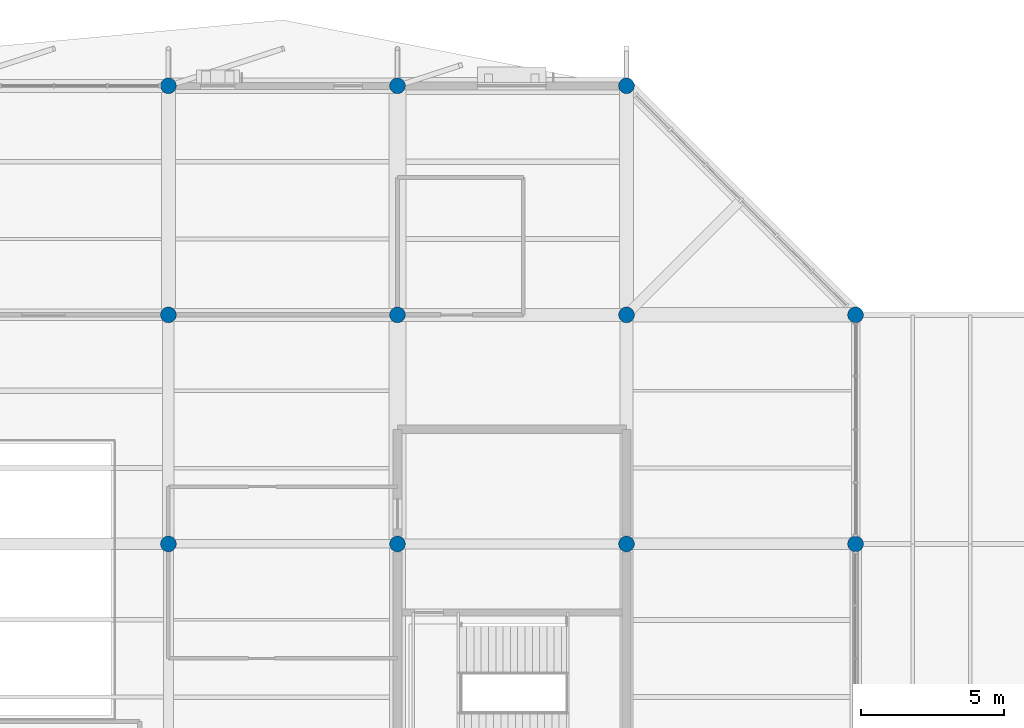
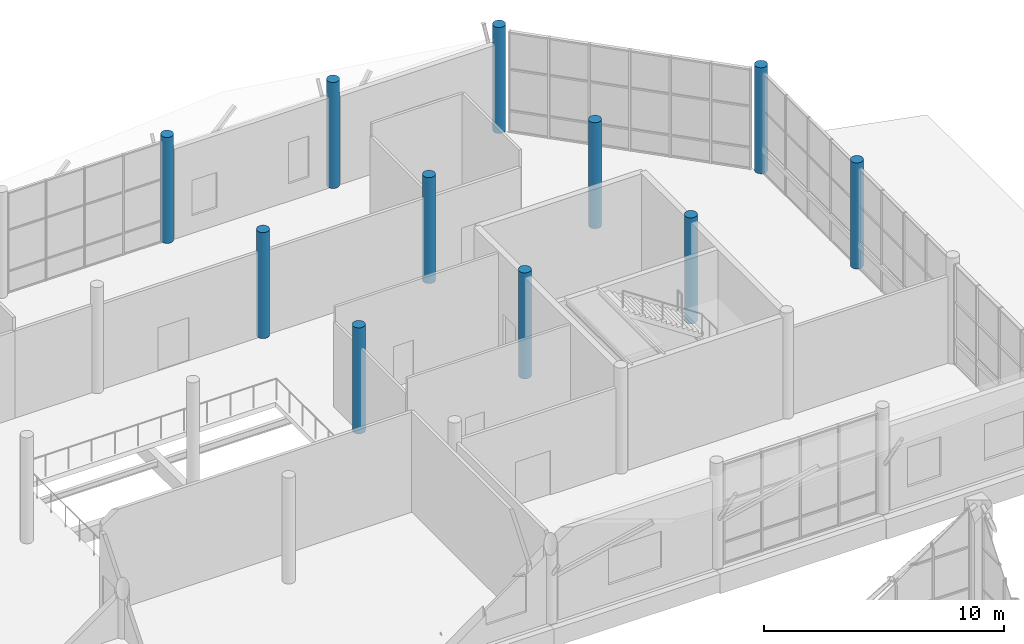
# One storey, part 8 of 122: 11 columns.
"""IFC4 building model written with IfcOpenShell, lengths in metres."""

from ifc_helpers import new_model, si_unit, direction, frame, origin, origin_2d, place, context, subcontext, project, spatial, circle, extrude, material, material_profile, profile_set, type_object, element, save


model = new_model("IFC4")

# Units and contexts
model_context = context("Model", 3, precision=1e-05, world=origin(), true_north=direction((0.0, 1.0)))
body_context = subcontext(model_context, "Body", "Model", "MODEL_VIEW")
ifc_project = project(units=[si_unit("LENGTHUNIT", "METRE"), si_unit("AREAUNIT", "SQUARE_METRE"), si_unit("VOLUMEUNIT", "CUBIC_METRE"), si_unit("PLANEANGLEUNIT", "RADIAN"), si_unit("MASSUNIT", "GRAM", prefix="KILO")], contexts=[model_context])

# Site, building, storey
site_placement = place(None, origin())
site = spatial("IfcSite", under=ifc_project, at=site_placement, CompositionType="ELEMENT")
building_placement = place(site_placement, origin())
building = spatial("IfcBuilding", under=site, at=building_placement, Name="Tenunan Teduh Sports Hall", CompositionType="ELEMENT")
storey_placement = place(building_placement, frame((0.0, 0.0, 5.39990234375)))
storey = spatial("IfcBuildingStorey", under=building, at=storey_placement, Name="L01", CompositionType="ELEMENT", Elevation=5.39990234375)

# Columns
ifc_material = material(Name="Concrete C40/50", Category="concrete")
ifc_material_profile = material_profile(ifc_material, circle(Radius=0.27490234375, at=origin_2d()), Name="RCC D550")
ifc_profile_set = profile_set([ifc_material_profile], Name="Concrete C40/50")
column_type = type_object("IfcColumnType", Name="COL-RCC-550", PredefinedType="COLUMN", material=ifc_profile_set)
for number, where, z_axis, x_axis, name in (
    (1, (138.0, 102.0, 0.0), (0.0, 0.0, 1.0), (1.0, 0.0, 0.0), "COL-C-22-L01-183"),
    (2, (138.0, 110.0, 0.0), (0.0, 0.0, 1.0), (1.0, 0.0, 0.0), "COL-C-22-L01-184"),
    (3, (138.0, 118.0, 0.0), (0.0, 0.0, 1.0), (1.0, 0.0, 0.0), "COL-C-22-L01-185"),
    (4, (146.0, 102.0, 0.0), (0.0, 0.0, 1.0), (1.0, 0.0, 0.0), "COL-C-22-L01-196"),
    (5, (146.0, 110.0, 0.0), (0.0, 0.0, 1.0), (1.0, 0.0, 0.0), "COL-C-22-L01-197"),
    (6, (146.0, 118.0, 0.0), (0.0, 0.0, 1.0), (1.0, 0.0, 0.0), "COL-C-22-L01-198"),
    (7, (154.0, 102.0, 0.0), (0.0, 0.0, 1.0), (1.0, 0.0, 0.0), "COL-C-22-L01-209"),
    (8, (154.0, 110.0, 0.0), (0.0, 0.0, 1.0), (1.0, 0.0, 0.0), "COL-C-22-L01-210"),
    (9, (154.0, 118.0, 0.0), (0.0, 0.0, 1.0), (1.0, 0.0, 0.0), "COL-C-22-L01-211"),
    (10, (162.0, 102.0, 0.0), (0.0, 0.0, 1.0), (1.0, 0.0, 0.0), "COL-C-22-L01-218"),
    (11, (162.0, 110.0, 0.0), (0.0, 0.0, 1.0), (1.0, 0.0, 0.0), "COL-C-22-L01-219"),
):
    element("IfcColumn", number, at=place(storey_placement, frame(where, z_axis=z_axis, x_axis=x_axis)), inside=storey, type_object=column_type, Name=name, PredefinedType="COLUMN", context=body_context, shape_type="SweptSolid", body=[
        extrude(circle(Radius=0.27490234375, at=origin_2d()), origin(), (0.0, 0.0, 1.0), 5.400146484375),
    ])

save(model, "model.ifc")
